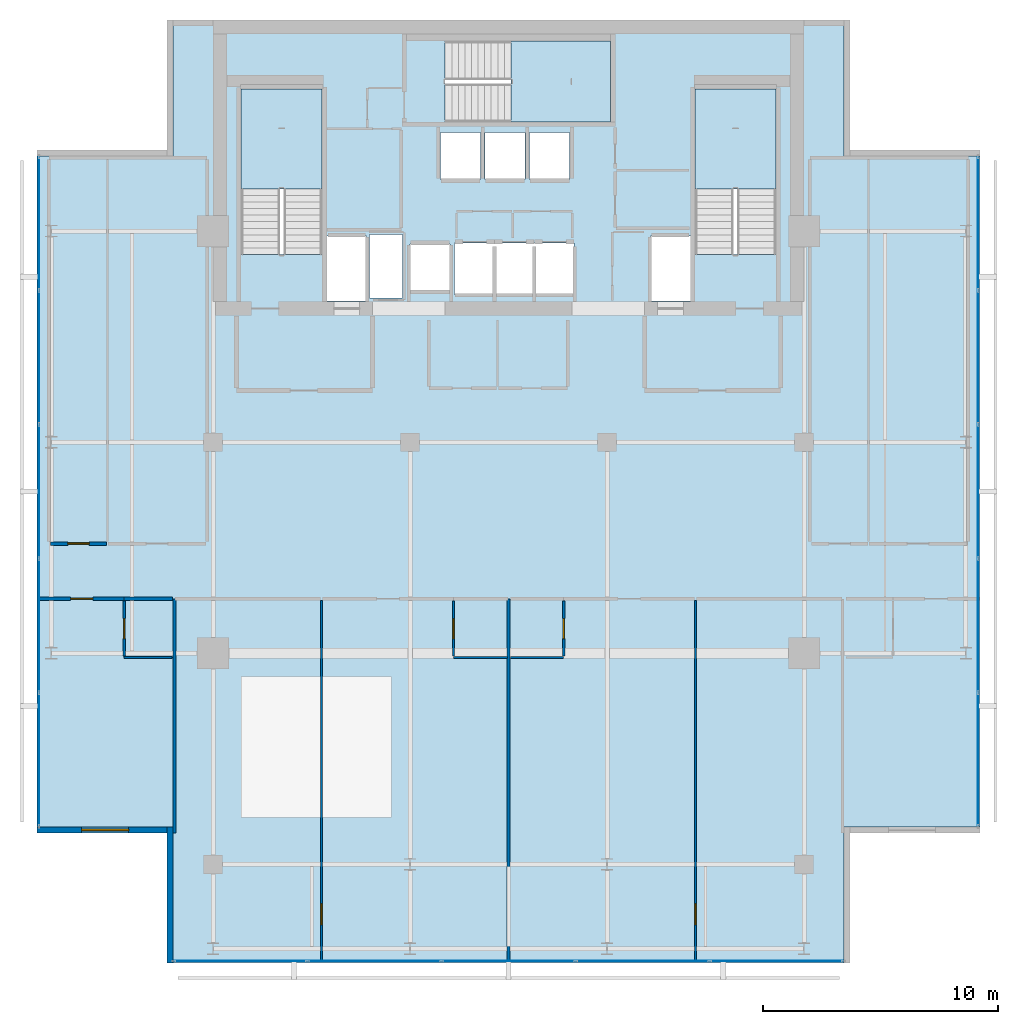
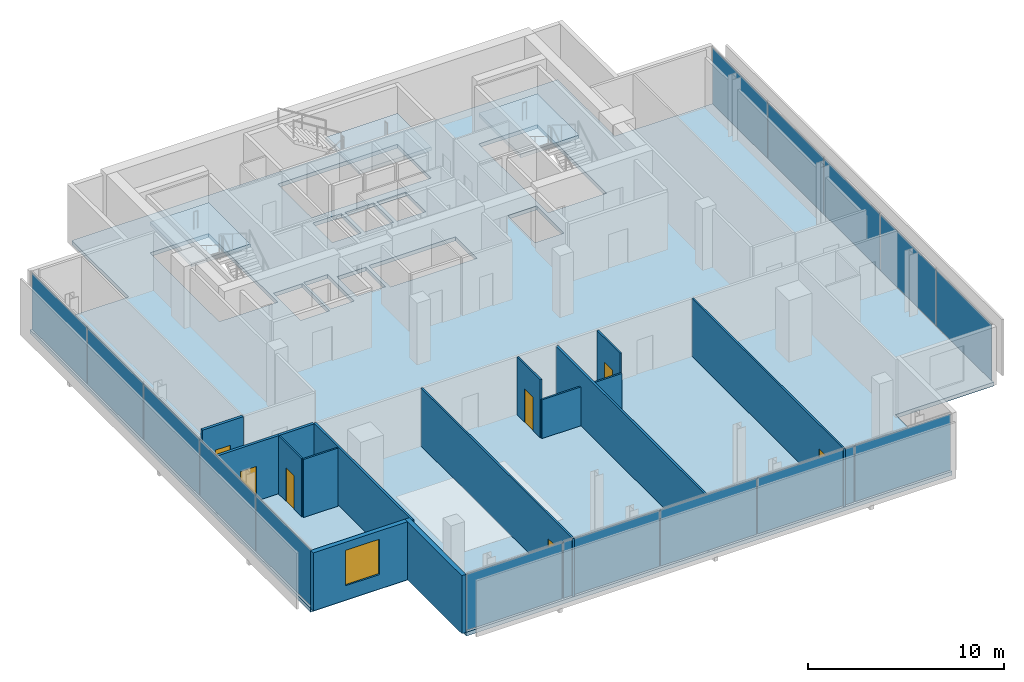
# One storey, part 16 of 23: 15 plates, 15 walls, 7 doors, 4 slabs, 1 window, 8 openings, 6 elements without a shape of their own.
"""IFC4 building model written with IfcOpenShell, lengths in metres."""

from ifc_helpers import new_model, si_unit, direction, frame, frame_2d, origin, origin_2d, place, context, subcontext, project, spatial, polyline, rectangle, outline, extrude, material, layer, layer_set, type_object, element, fill, aggregate, save


model = new_model("IFC4")

# Units and contexts
model_context = context("Model", 3, precision=1e-05, world=origin(), true_north=direction((0.0, 1.0)))
body_context = subcontext(model_context, "Body", "Model", "MODEL_VIEW")
ifc_project = project(units=[si_unit("LENGTHUNIT", "METRE"), si_unit("AREAUNIT", "SQUARE_METRE"), si_unit("VOLUMEUNIT", "CUBIC_METRE"), si_unit("PLANEANGLEUNIT", "RADIAN"), si_unit("MASSUNIT", "GRAM", prefix="KILO")], contexts=[model_context])

# Site, building, storey
site_placement = place(None, origin())
site = spatial("IfcSite", under=ifc_project, at=site_placement, CompositionType="ELEMENT")
building_placement = place(site_placement, origin())
building = spatial("IfcBuilding", under=site, at=building_placement, Name="Maruvema Waterfront Hotel and Observation Tower", CompositionType="ELEMENT")
storey_placement = place(building_placement, frame((0.0, 0.0, 337.39990234375)))
storey = spatial("IfcBuildingStorey", under=building, at=storey_placement, Name="L83", CompositionType="ELEMENT", Elevation=337.39990234375)

# Slab
ifc_material_1 = material(Name="Concrete C50/60", Category="concrete")
ifc_layer_1 = layer(ifc_material_1, 0.239990234375, Name="Reinforced Concrete Floor Slab 240 mm")
ifc_layer_set_1 = layer_set([ifc_layer_1], Name="Concrete C50/60")
slab_type_1 = type_object("IfcSlabType", Name="Reinforced Concrete Floor Slab 240 mm", PredefinedType="FLOOR", material=ifc_layer_set_1)
slab_1_placement = place(storey_placement, frame((0.0, 0.0, -0.239990234375)))
element("IfcSlab", 1, at=slab_1_placement, inside=storey, type_object=slab_type_1, Name="L83 Structural Floor Slab", PredefinedType="FLOOR", context=body_context, shape_type="SweptSolid", body=[
    extrude(outline(polyline([(23.5, 13.800048828125), (52.10009765625, 13.800048828125), (52.10009765625, 19.60009765625), (57.89990234375, 19.60009765625), (57.89990234375, 48.199951171875), (52.10009765625, 48.199951171875), (52.10009765625, 54.0), (23.5, 54.0), (23.5, 48.199951171875), (17.699951171875, 48.199951171875), (17.699951171875, 19.60009765625), (23.5, 19.60009765625), (23.5, 13.800048828125)]), holes=[polyline([(26.39990234375, 44.00048828125), (26.39990234375, 51.050048828125), (29.85009765625, 51.050048828125), (29.85009765625, 44.00048828125), (26.39990234375, 44.00048828125)]), polyline([(30.050048828125, 44.800048828125), (31.75, 44.800048828125), (31.75, 42.02001953125), (30.050048828125, 42.02001953125), (30.050048828125, 44.800048828125)]), polyline([(31.8798828125, 42.139892578125), (31.8798828125, 44.860107421875), (33.280029296875, 44.860107421875), (33.280029296875, 42.139892578125), (31.8798828125, 42.139892578125)]), polyline([(33.60009765625, 44.449951171875), (35.300048828125, 44.449951171875), (35.300048828125, 42.449951171875), (33.60009765625, 42.449951171875), (33.60009765625, 44.449951171875)]), polyline([(34.89990234375, 49.199951171875), (36.60009765625, 49.199951171875), (36.60009765625, 47.199951171875), (34.89990234375, 47.199951171875), (34.89990234375, 49.199951171875)]), polyline([(36.800048828125, 47.199951171875), (36.800048828125, 49.199951171875), (38.5, 49.199951171875), (38.5, 47.199951171875), (36.800048828125, 47.199951171875)]), polyline([(35.5, 42.300048828125), (35.5, 44.5), (40.60009765625, 44.5), (40.60009765625, 42.300048828125), (35.5, 42.300048828125)]), polyline([(35.1005859375, 53.10009765625), (42.14990234375, 53.10009765625), (42.14990234375, 49.64990234375), (35.1005859375, 49.64990234375), (35.1005859375, 53.10009765625)]), polyline([(38.699951171875, 49.199951171875), (40.39990234375, 49.199951171875), (40.39990234375, 47.199951171875), (38.699951171875, 47.199951171875), (38.699951171875, 49.199951171875)]), polyline([(43.85009765625, 44.800048828125), (45.550048828125, 44.800048828125), (45.550048828125, 42.02001953125), (43.85009765625, 42.02001953125), (43.85009765625, 44.800048828125)]), polyline([(45.75, 44.00048828125), (45.75, 51.050048828125), (49.199951171875, 51.050048828125), (49.199951171875, 44.00048828125), (45.75, 44.00048828125)])]), origin(), (0.0, 0.0, 1.0), 0.239990234375),
])

# Curtain wall, plates
ifc_material_2 = material(Name="Anodised bronze aluminium and solar-control low-E IGU", Category="aluminium")
ifc_layer_2 = layer(ifc_material_2, 0.159912109375, Name="Zone 4 Sky Residence Inner Curtain Wall System CW-05")
ifc_layer_set_2 = layer_set([ifc_layer_2], Name="Anodised bronze aluminium and solar-control low-E IGU")
curtain_wall_type = type_object("IfcCurtainWallType", Name="Zone 4 Sky Residence Inner Curtain Wall System CW-05", PredefinedType="USERDEFINED", material=ifc_layer_set_2)
curtain_wall_1_placement = place(storey_placement, origin())
curtain_wall_1 = element("IfcCurtainWall", 2, at=curtain_wall_1_placement, inside=storey, type_object=curtain_wall_type, Name="L83 Curtain Wall CW-L83-S", ObjectType="UNITISED CURTAIN WALL", PredefinedType="USERDEFINED")
ifc_material_3 = material(Name="Laminated low-E solar-control double glazing", Category="glass")
ifc_layer_3 = layer(ifc_material_3, 0.035888671875, Name="Solar Control Double-Glazed Curtain Panel 36 mm")
ifc_layer_set_3 = layer_set([ifc_layer_3], Name="Laminated low-E solar-control double glazing")
plate_type = type_object("IfcPlateType", Name="Solar Control Double-Glazed Curtain Panel 36 mm", PredefinedType="CURTAIN_PANEL", material=ifc_layer_set_3)
plate_1_placement = place(storey_placement, frame((26.375, 13.8798828125, 0.06005859375), z_axis=(0.0, 0.0, 1.0), x_axis=(1.0, 0.0, 0.0)))
plate_1 = element("IfcPlate", 3, at=plate_1_placement, type_object=plate_type, Name="CW-05 panel 1.1", PredefinedType="CURTAIN_PANEL", context=body_context, shape_type="SweptSolid", body=[
    extrude(rectangle(XDim=5.6298828125, YDim=0.028076171875, at=origin_2d()), origin(), (0.0, 0.0, 1.0), 3.489990234375),
])
plate_2_placement = place(storey_placement, frame((32.080078125, 13.8798828125, 0.06005859375), z_axis=(0.0, 0.0, 1.0), x_axis=(1.0, 0.0, 0.0)))
plate_2 = element("IfcPlate", 4, at=plate_2_placement, type_object=plate_type, Name="CW-05 panel 2.1", PredefinedType="CURTAIN_PANEL", context=body_context, shape_type="SweptSolid", body=[
    extrude(rectangle(XDim=5.659912109375, YDim=0.028076171875, at=origin_2d()), origin(), (0.0, 0.0, 1.0), 3.489990234375),
])
plate_3_placement = place(storey_placement, frame((37.800048828125, 13.8798828125, 0.06005859375), z_axis=(0.0, 0.0, 1.0), x_axis=(1.0, 0.0, 0.0)))
plate_3 = element("IfcPlate", 5, at=plate_3_placement, type_object=plate_type, Name="CW-05 panel 3.1", PredefinedType="CURTAIN_PANEL", context=body_context, shape_type="SweptSolid", body=[
    extrude(rectangle(XDim=5.659912109375, YDim=0.028076171875, at=origin_2d()), origin(), (0.0, 0.0, 1.0), 3.489990234375),
])
plate_4_placement = place(storey_placement, frame((43.52001953125, 13.8798828125, 0.06005859375), z_axis=(0.0, 0.0, 1.0), x_axis=(1.0, 0.0, 0.0)))
plate_4 = element("IfcPlate", 6, at=plate_4_placement, type_object=plate_type, Name="CW-05 panel 4.1", PredefinedType="CURTAIN_PANEL", context=body_context, shape_type="SweptSolid", body=[
    extrude(rectangle(XDim=5.659912109375, YDim=0.028076171875, at=origin_2d()), origin(), (0.0, 0.0, 1.0), 3.489990234375),
])
plate_5_placement = place(storey_placement, frame((49.22509765625, 13.8798828125, 0.06005859375), z_axis=(0.0, 0.0, 1.0), x_axis=(1.0, 0.0, 0.0)))
plate_5 = element("IfcPlate", 7, at=plate_5_placement, type_object=plate_type, Name="CW-05 panel 5.1", PredefinedType="CURTAIN_PANEL", context=body_context, shape_type="SweptSolid", body=[
    extrude(rectangle(XDim=5.6298828125, YDim=0.028076171875, at=origin_2d()), origin(), (0.0, 0.0, 1.0), 3.489990234375),
])
aggregate(curtain_wall_1, [plate_1, plate_2, plate_3, plate_4, plate_5])

curtain_wall_2_placement = place(storey_placement, origin())
curtain_wall_2 = element("IfcCurtainWall", 8, at=curtain_wall_2_placement, inside=storey, type_object=curtain_wall_type, Name="L83 Curtain Wall CW-L83-E", ObjectType="UNITISED CURTAIN WALL", PredefinedType="USERDEFINED")
plate_6_placement = place(storey_placement, frame((57.820068359375, 22.47509765625, 0.06005859375), z_axis=(0.0, 0.0, 1.0), x_axis=(0.0, 1.0, 0.0)))
plate_6 = element("IfcPlate", 9, at=plate_6_placement, type_object=plate_type, Name="CW-05 panel 1.1", PredefinedType="CURTAIN_PANEL", context=body_context, shape_type="SweptSolid", body=[
    extrude(rectangle(XDim=5.6298828125, YDim=0.028076171875, at=origin_2d()), origin(), (0.0, 0.0, 1.0), 3.489990234375),
])
plate_7_placement = place(storey_placement, frame((57.820068359375, 28.179931640625, 0.06005859375), z_axis=(0.0, 0.0, 1.0), x_axis=(0.0, 1.0, 0.0)))
plate_7 = element("IfcPlate", 10, at=plate_7_placement, type_object=plate_type, Name="CW-05 panel 2.1", PredefinedType="CURTAIN_PANEL", context=body_context, shape_type="SweptSolid", body=[
    extrude(rectangle(XDim=5.659912109375, YDim=0.028076171875, at=origin_2d()), origin(), (0.0, 0.0, 1.0), 3.489990234375),
])
plate_8_placement = place(storey_placement, frame((57.820068359375, 33.89990234375, 0.06005859375), z_axis=(0.0, 0.0, 1.0), x_axis=(0.0, 1.0, 0.0)))
plate_8 = element("IfcPlate", 11, at=plate_8_placement, type_object=plate_type, Name="CW-05 panel 3.1", PredefinedType="CURTAIN_PANEL", context=body_context, shape_type="SweptSolid", body=[
    extrude(rectangle(XDim=5.659912109375, YDim=0.028076171875, at=origin_2d()), origin(), (0.0, 0.0, 1.0), 3.489990234375),
])
plate_9_placement = place(storey_placement, frame((57.820068359375, 39.6201171875, 0.06005859375), z_axis=(0.0, 0.0, 1.0), x_axis=(0.0, 1.0, 0.0)))
plate_9 = element("IfcPlate", 12, at=plate_9_placement, type_object=plate_type, Name="CW-05 panel 4.1", PredefinedType="CURTAIN_PANEL", context=body_context, shape_type="SweptSolid", body=[
    extrude(rectangle(XDim=5.659912109375, YDim=0.028076171875, at=origin_2d()), origin(), (0.0, 0.0, 1.0), 3.489990234375),
])
plate_10_placement = place(storey_placement, frame((57.820068359375, 45.324951171875, 0.06005859375), z_axis=(0.0, 0.0, 1.0), x_axis=(0.0, 1.0, 0.0)))
plate_10 = element("IfcPlate", 13, at=plate_10_placement, type_object=plate_type, Name="CW-05 panel 5.1", PredefinedType="CURTAIN_PANEL", context=body_context, shape_type="SweptSolid", body=[
    extrude(rectangle(XDim=5.6298828125, YDim=0.028076171875, at=origin_2d()), origin(), (0.0, 0.0, 1.0), 3.489990234375),
])
aggregate(curtain_wall_2, [plate_6, plate_7, plate_8, plate_9, plate_10])

curtain_wall_3_placement = place(storey_placement, origin())
curtain_wall_3 = element("IfcCurtainWall", 14, at=curtain_wall_3_placement, inside=storey, type_object=curtain_wall_type, Name="L83 Curtain Wall CW-L83-W", ObjectType="UNITISED CURTAIN WALL", PredefinedType="USERDEFINED")
plate_11_placement = place(storey_placement, frame((17.780029296875, 45.324951171875, 0.06005859375), z_axis=(0.0, 0.0, 1.0), x_axis=(0.0, -1.0, 0.0)))
plate_11 = element("IfcPlate", 15, at=plate_11_placement, type_object=plate_type, Name="CW-05 panel 1.1", PredefinedType="CURTAIN_PANEL", context=body_context, shape_type="SweptSolid", body=[
    extrude(rectangle(XDim=5.6298828125, YDim=0.028076171875, at=origin_2d()), origin(), (0.0, 0.0, 1.0), 3.489990234375),
])
plate_12_placement = place(storey_placement, frame((17.780029296875, 39.6201171875, 0.06005859375), z_axis=(0.0, 0.0, 1.0), x_axis=(0.0, -1.0, 0.0)))
plate_12 = element("IfcPlate", 16, at=plate_12_placement, type_object=plate_type, Name="CW-05 panel 2.1", PredefinedType="CURTAIN_PANEL", context=body_context, shape_type="SweptSolid", body=[
    extrude(rectangle(XDim=5.659912109375, YDim=0.028076171875, at=origin_2d()), origin(), (0.0, 0.0, 1.0), 3.489990234375),
])
plate_13_placement = place(storey_placement, frame((17.780029296875, 33.89990234375, 0.06005859375), z_axis=(0.0, 0.0, 1.0), x_axis=(0.0, -1.0, 0.0)))
plate_13 = element("IfcPlate", 17, at=plate_13_placement, type_object=plate_type, Name="CW-05 panel 3.1", PredefinedType="CURTAIN_PANEL", context=body_context, shape_type="SweptSolid", body=[
    extrude(rectangle(XDim=5.659912109375, YDim=0.028076171875, at=origin_2d()), origin(), (0.0, 0.0, 1.0), 3.489990234375),
])
plate_14_placement = place(storey_placement, frame((17.780029296875, 28.179931640625, 0.06005859375), z_axis=(0.0, 0.0, 1.0), x_axis=(0.0, -1.0, 0.0)))
plate_14 = element("IfcPlate", 18, at=plate_14_placement, type_object=plate_type, Name="CW-05 panel 4.1", PredefinedType="CURTAIN_PANEL", context=body_context, shape_type="SweptSolid", body=[
    extrude(rectangle(XDim=5.659912109375, YDim=0.028076171875, at=origin_2d()), origin(), (0.0, 0.0, 1.0), 3.489990234375),
])
plate_15_placement = place(storey_placement, frame((17.780029296875, 22.47509765625, 0.06005859375), z_axis=(0.0, 0.0, 1.0), x_axis=(0.0, -1.0, 0.0)))
plate_15 = element("IfcPlate", 19, at=plate_15_placement, type_object=plate_type, Name="CW-05 panel 5.1", PredefinedType="CURTAIN_PANEL", context=body_context, shape_type="SweptSolid", body=[
    extrude(rectangle(XDim=5.6298828125, YDim=0.028076171875, at=origin_2d()), origin(), (0.0, 0.0, 1.0), 3.489990234375),
])
aggregate(curtain_wall_3, [plate_11, plate_12, plate_13, plate_14, plate_15])

# Stair, slab
ifc_material_4 = material(Name="Concrete C50/60", Category="concrete")
stair_type = type_object("IfcStairType", Name="Dogleg Exit Stair 1650 mm (22R x 175.0 mm)", PredefinedType="HALF_TURN_STAIR", material=ifc_material_4)
stair_1_placement = place(storey_placement, origin())
stair_1 = element("IfcStair", 20, at=stair_1_placement, inside=storey, type_object=stair_type, Name="L83 ST-01", PredefinedType="HALF_TURN_STAIR")
ifc_material_5 = material(Name="Concrete C50/60", Category="concrete")
ifc_layer_4 = layer(ifc_material_5, 0.219970703125, Name="Stair Concrete Landing Slab 220 mm")
ifc_layer_set_4 = layer_set([ifc_layer_4], Name="Concrete C50/60")
slab_type_2 = type_object("IfcSlabType", Name="Stair Concrete Landing Slab 220 mm", PredefinedType="LANDING", material=ifc_layer_set_4)
slab_2_placement = place(storey_placement, frame((0.0, 0.0, 1.705078125)))
slab_2 = element("IfcSlab", 21, at=slab_2_placement, type_object=slab_type_2, Name="ST-01 landing 1", PredefinedType="LANDING", context=body_context, shape_type="SweptSolid", body=[
    extrude(outline(polyline([(29.85009765625, 46.800048828125), (29.85009765625, 51.050048828125), (26.39990234375, 51.050048828125), (26.39990234375, 46.800048828125), (29.85009765625, 46.800048828125)])), origin(), (0.0, 0.0, 1.0), 0.219970703125),
])
aggregate(stair_1, [slab_2])

stair_2_placement = place(storey_placement, origin())
stair_2 = element("IfcStair", 22, at=stair_2_placement, inside=storey, type_object=stair_type, Name="L83 ST-02", PredefinedType="HALF_TURN_STAIR")
slab_3_placement = place(storey_placement, frame((0.0, 0.0, 1.705078125)))
slab_3 = element("IfcSlab", 23, at=slab_3_placement, type_object=slab_type_2, Name="ST-02 landing 1", PredefinedType="LANDING", context=body_context, shape_type="SweptSolid", body=[
    extrude(outline(polyline([(37.89990234375, 49.64990234375), (42.14990234375, 49.64990234375), (42.14990234375, 53.10009765625), (37.89990234375, 53.10009765625), (37.89990234375, 49.64990234375)])), origin(), (0.0, 0.0, 1.0), 0.219970703125),
])
aggregate(stair_2, [slab_3])

stair_3_placement = place(storey_placement, origin())
stair_3 = element("IfcStair", 24, at=stair_3_placement, inside=storey, type_object=stair_type, Name="L83 ST-03", PredefinedType="HALF_TURN_STAIR")
slab_4_placement = place(storey_placement, frame((0.0, 0.0, 1.705078125)))
slab_4 = element("IfcSlab", 25, at=slab_4_placement, type_object=slab_type_2, Name="ST-03 landing 1", PredefinedType="LANDING", context=body_context, shape_type="SweptSolid", body=[
    extrude(outline(polyline([(49.199951171875, 46.800048828125), (49.199951171875, 51.050048828125), (45.75, 51.050048828125), (45.75, 46.800048828125), (49.199951171875, 46.800048828125)])), origin(), (0.0, 0.0, 1.0), 0.219970703125),
])
aggregate(stair_3, [slab_4])

# Wall, opening, door
ifc_material_6 = material(Name="Twin-stud acoustic gypsum drywall", Category="gypsum")
ifc_layer_5 = layer(ifc_material_6, 0.14990234375, Name="Acoustic Corridor and Suite Demising Wall 150 mm")
ifc_layer_set_5 = layer_set([ifc_layer_5], Name="Twin-stud acoustic gypsum drywall")
wall_type_1 = type_object("IfcWallType", Name="Acoustic Corridor and Suite Demising Wall 150 mm", PredefinedType="PARTITIONING", material=ifc_layer_set_5)
wall_1_placement = place(storey_placement, frame((18.260009765625, 31.679931640625, 0.0), z_axis=(0.0, 0.0, 1.0), x_axis=(1.0, 0.0, 0.0)))
wall_1 = element("IfcWall", 26, at=wall_1_placement, inside=storey, type_object=wall_type_1, Name="L83 L83-Z4W Front 1 034", PredefinedType="PARTITIONING", context=body_context, shape_type="SweptSolid", body=[
    extrude(rectangle(XDim=2.407470703125, YDim=0.14990234375, at=frame_2d((1.20361328125, 0.0))), origin(), (0.0, 0.0, 1.0), 3.610107421875),
])
opening_1_placement = place(wall_1_placement, frame((0.753662109375, 0.0, 0.0)))
opening_1 = element("IfcOpeningElement", 27, at=opening_1_placement, cuts=wall_1, Name="Opening DR-090", PredefinedType="OPENING", context=body_context, shape_type="SweptSolid", body=[
    extrude(rectangle(XDim=0.89990234375, YDim=2.10009765625, at=frame_2d((0.449951171875, 1.050048828125))), frame((0.0, 0.0849609375, 0.0), z_axis=(0.0, -1.0, 0.0), x_axis=(1.0, 0.0, 0.0)), (0.0, 0.0, 1.0), 0.169921875),
])
ifc_material_7 = material(Name="Solid-core lacquered timber leaf", Category="wood")
door_type_1 = type_object("IfcDoorType", Name="Accessible Toilet and Room Door 900x2100 mm", OperationType="NOTDEFINED", PredefinedType="DOOR", material=ifc_material_7)
door_1_placement = place(opening_1_placement, frame((0.89990234375, 0.0, 0.0), z_axis=(0.0, 0.0, 1.0), x_axis=(-1.0, 0.0, 0.0)))
door_1 = element("IfcDoor", 28, at=door_1_placement, inside=storey, type_object=door_type_1, Name="L83 Presidential Show Kitchen Door", OperationType="SINGLE_SWING_LEFT", OverallHeight=2.10009765625, OverallWidth=0.89990234375, PredefinedType="DOOR", context=body_context, shape_type="SweptSolid", body=[
    extrude(rectangle(XDim=0.89990234375, YDim=2.10009765625, at=frame_2d((0.449951171875, 1.050048828125))), frame((0.0, 0.02490234375, 0.0), z_axis=(0.0, -1.0, 0.0), x_axis=(1.0, 0.0, 0.0)), (0.0, 0.0, 1.0), 0.050048828125),
])
fill(opening_1, door_1)

# Wall
wall_2_placement = place(storey_placement, frame((21.409912109375, 29.320068359375, 0.0), z_axis=(0.0, 0.0, 1.0), x_axis=(1.0, 0.0, 0.0)))
element("IfcWall", 29, at=wall_2_placement, inside=storey, type_object=wall_type_1, Name="L83 Bath L83-SKW Back Wall 058", PredefinedType="PARTITIONING", context=body_context, shape_type="SweptSolid", body=[
    extrude(rectangle(XDim=2.06005859375, YDim=0.14990234375, at=frame_2d((1.030029296875, 0.0))), origin(), (0.0, 0.0, 1.0), 3.610107421875),
])

# Wall, opening, door
wall_3_placement = place(storey_placement, frame((17.7900390625, 29.320068359375, 0.0), z_axis=(0.0, 0.0, 1.0), x_axis=(1.0, 0.0, 0.0)))
wall_3 = element("IfcWall", 30, at=wall_3_placement, inside=storey, type_object=wall_type_1, Name="L83 Unit L83-SKW Corridor Wall 061", PredefinedType="PARTITIONING", context=body_context, shape_type="SweptSolid", body=[
    extrude(rectangle(XDim=3.619873046875, YDim=0.14990234375, at=frame_2d((1.81005859375, 0.0))), origin(), (0.0, 0.0, 1.0), 3.610107421875),
])
opening_2_placement = place(wall_3_placement, frame((1.3349609375, 0.0, 0.0)))
opening_2 = element("IfcOpeningElement", 31, at=opening_2_placement, cuts=wall_3, Name="Opening DR-095", PredefinedType="OPENING", context=body_context, shape_type="SweptSolid", body=[
    extrude(rectangle(XDim=0.949951171875, YDim=2.14990234375, at=frame_2d((0.47509765625, 1.074951171875))), frame((0.0, 0.0849609375, 0.0), z_axis=(0.0, -1.0, 0.0), x_axis=(1.0, 0.0, 0.0)), (0.0, 0.0, 1.0), 0.169921875),
])
ifc_material_8 = material(Name="Acoustic solid-core hardwood timber leaf", Category="wood")
door_type_2 = type_object("IfcDoorType", Name="Guestroom Entrance Fire Door 950x2150 mm", OperationType="NOTDEFINED", PredefinedType="DOOR", material=ifc_material_8)
door_2_placement = place(opening_2_placement, frame((0.949951171875, 0.0, 0.0), z_axis=(0.0, 0.0, 1.0), x_axis=(-1.0, 0.0, 0.0)))
door_2 = element("IfcDoor", 32, at=door_2_placement, inside=storey, type_object=door_type_2, Name="L83 Unit L83-SKW Entrance Door", OperationType="SINGLE_SWING_RIGHT", OverallHeight=2.14990234375, OverallWidth=0.949951171875, PredefinedType="DOOR", context=body_context, shape_type="SweptSolid", body=[
    extrude(rectangle(XDim=0.949951171875, YDim=2.14990234375, at=frame_2d((0.47509765625, 1.074951171875))), frame((0.0, 0.02490234375, 0.0), z_axis=(0.0, -1.0, 0.0), x_axis=(1.0, 0.0, 0.0)), (0.0, 0.0, 1.0), 0.050048828125),
])
fill(opening_2, door_2)

# Wall
ifc_material_9 = material(Name="Moisture-resistant cement-board drywall", Category="gypsum")
ifc_layer_6 = layer(ifc_material_9, 0.10009765625, Name="En-Suite Moisture-Resistant Partition 100 mm")
ifc_layer_set_6 = layer_set([ifc_layer_6], Name="Moisture-resistant cement-board drywall")
wall_type_2 = type_object("IfcWallType", Name="En-Suite Moisture-Resistant Partition 100 mm", PredefinedType="PARTITIONING", material=ifc_layer_set_6)
wall_4_placement = place(storey_placement, frame((35.449951171875, 26.820068359375, 0.0), z_axis=(0.0, 0.0, 1.0), x_axis=(1.0, 0.0, 0.0)))
element("IfcWall", 33, at=wall_4_placement, inside=storey, type_object=wall_type_2, Name="L83 En-Suite L83-SK1 South 046", PredefinedType="PARTITIONING", context=body_context, shape_type="SweptSolid", body=[
    extrude(rectangle(XDim=2.31005859375, YDim=0.10009765625, at=frame_2d((1.155029296875, 0.0))), origin(), (0.0, 0.0, 1.0), 2.41015625),
])

# Wall, opening, door
wall_5_placement = place(storey_placement, frame((35.449951171875, 26.8798828125, 0.0), z_axis=(0.0, 0.0, 1.0), x_axis=(0.0, 1.0, 0.0)))
wall_5 = element("IfcWall", 34, at=wall_5_placement, inside=storey, type_object=wall_type_2, Name="L83 En-Suite L83-SK1 West 047", PredefinedType="PARTITIONING", context=body_context, shape_type="SweptSolid", body=[
    extrude(rectangle(XDim=2.340087890625, YDim=0.10009765625, at=frame_2d((1.169921875, 0.0))), origin(), (0.0, 0.0, 1.0), 3.610107421875),
])
opening_3_placement = place(wall_5_placement, frame((0.7451171875, 0.0, 0.0)))
opening_3 = element("IfcOpeningElement", 35, at=opening_3_placement, cuts=wall_5, Name="Opening DR-085", PredefinedType="OPENING", context=body_context, shape_type="SweptSolid", body=[
    extrude(rectangle(XDim=0.85009765625, YDim=2.10009765625, at=frame_2d((0.425048828125, 1.050048828125))), frame((0.0, 0.06005859375, 0.0), z_axis=(0.0, -1.0, 0.0), x_axis=(1.0, 0.0, 0.0)), (0.0, 0.0, 1.0), 0.1201171875),
])
ifc_material_10 = material(Name="Moisture-resistant solid timber leaf", Category="wood")
door_type_3 = type_object("IfcDoorType", Name="En-Suite Bathroom Door 850x2100 mm", OperationType="NOTDEFINED", PredefinedType="DOOR", material=ifc_material_10)
door_3_placement = place(opening_3_placement, origin())
door_3 = element("IfcDoor", 36, at=door_3_placement, inside=storey, type_object=door_type_3, Name="L83 En-Suite L83-SK1 Door", OperationType="SINGLE_SWING_LEFT", OverallHeight=2.10009765625, OverallWidth=0.85009765625, PredefinedType="DOOR", context=body_context, shape_type="SweptSolid", body=[
    extrude(rectangle(XDim=0.85009765625, YDim=2.10009765625, at=frame_2d((0.425048828125, 1.050048828125))), frame((0.0, 0.02490234375, 0.0), z_axis=(0.0, -1.0, 0.0), x_axis=(1.0, 0.0, 0.0)), (0.0, 0.0, 1.0), 0.050048828125),
])
fill(opening_3, door_3)

wall_6_placement = place(storey_placement, frame((29.826904296875, 13.830078125, 0.0), z_axis=(0.0, 0.0, 1.0), x_axis=(0.0, 1.0, 0.0)))
wall_6 = element("IfcWall", 37, at=wall_6_placement, inside=storey, type_object=wall_type_2, Name="L83 Suite L83-SK1 Split 050", PredefinedType="PARTITIONING", context=body_context, shape_type="SweptSolid", body=[
    extrude(rectangle(XDim=15.429931640625, YDim=0.10009765625, at=frame_2d((7.71484375, 0.0))), origin(), (0.0, 0.0, 1.0), 3.610107421875),
])
opening_4_placement = place(wall_6_placement, frame((1.60009765625, 0.0, 0.0)))
opening_4 = element("IfcOpeningElement", 38, at=opening_4_placement, cuts=wall_6, Name="Opening DR-090", PredefinedType="OPENING", context=body_context, shape_type="SweptSolid", body=[
    extrude(rectangle(XDim=0.89990234375, YDim=2.10009765625, at=frame_2d((0.449951171875, 1.050048828125))), frame((0.0, 0.06005859375, 0.0), z_axis=(0.0, -1.0, 0.0), x_axis=(1.0, 0.0, 0.0)), (0.0, 0.0, 1.0), 0.1201171875),
])
door_4_placement = place(opening_4_placement, frame((0.89990234375, 0.0, 0.0), z_axis=(0.0, 0.0, 1.0), x_axis=(-1.0, 0.0, 0.0)))
door_4 = element("IfcDoor", 39, at=door_4_placement, inside=storey, type_object=door_type_1, Name="L83 Suite L83-SK1 Bedroom Door", OperationType="SINGLE_SWING_LEFT", OverallHeight=2.10009765625, OverallWidth=0.89990234375, PredefinedType="DOOR", context=body_context, shape_type="SweptSolid", body=[
    extrude(rectangle(XDim=0.89990234375, YDim=2.10009765625, at=frame_2d((0.449951171875, 1.050048828125))), frame((0.0, 0.02490234375, 0.0), z_axis=(0.0, -1.0, 0.0), x_axis=(1.0, 0.0, 0.0)), (0.0, 0.0, 1.0), 0.050048828125),
])
fill(opening_4, door_4)

# Wall
wall_7_placement = place(storey_placement, frame((37.8798828125, 26.820068359375, 0.0), z_axis=(0.0, 0.0, 1.0), x_axis=(1.0, 0.0, 0.0)))
element("IfcWall", 40, at=wall_7_placement, inside=storey, type_object=wall_type_2, Name="L83 En-Suite L83-SK2 South 053", PredefinedType="PARTITIONING", context=body_context, shape_type="SweptSolid", body=[
    extrude(rectangle(XDim=2.27001953125, YDim=0.10009765625, at=frame_2d((1.135009765625, 0.0))), origin(), (0.0, 0.0, 1.0), 2.41015625),
])

# Wall, opening, door
wall_8_placement = place(storey_placement, frame((40.14990234375, 26.8798828125, 0.0), z_axis=(0.0, 0.0, 1.0), x_axis=(0.0, 1.0, 0.0)))
wall_8 = element("IfcWall", 41, at=wall_8_placement, inside=storey, type_object=wall_type_2, Name="L83 En-Suite L83-SK2 East 054", PredefinedType="PARTITIONING", context=body_context, shape_type="SweptSolid", body=[
    extrude(rectangle(XDim=2.340087890625, YDim=0.10009765625, at=frame_2d((1.169921875, 0.0))), origin(), (0.0, 0.0, 1.0), 3.610107421875),
])
opening_5_placement = place(wall_8_placement, frame((0.7451171875, 0.0, 0.0)))
opening_5 = element("IfcOpeningElement", 42, at=opening_5_placement, cuts=wall_8, Name="Opening DR-085", PredefinedType="OPENING", context=body_context, shape_type="SweptSolid", body=[
    extrude(rectangle(XDim=0.85009765625, YDim=2.10009765625, at=frame_2d((0.425048828125, 1.050048828125))), frame((0.0, 0.06005859375, 0.0), z_axis=(0.0, -1.0, 0.0), x_axis=(1.0, 0.0, 0.0)), (0.0, 0.0, 1.0), 0.1201171875),
])
door_5_placement = place(opening_5_placement, frame((0.85009765625, 0.0, 0.0), z_axis=(0.0, 0.0, 1.0), x_axis=(-1.0, 0.0, 0.0)))
door_5 = element("IfcDoor", 43, at=door_5_placement, inside=storey, type_object=door_type_3, Name="L83 En-Suite L83-SK2 Door", OperationType="SINGLE_SWING_RIGHT", OverallHeight=2.10009765625, OverallWidth=0.85009765625, PredefinedType="DOOR", context=body_context, shape_type="SweptSolid", body=[
    extrude(rectangle(XDim=0.85009765625, YDim=2.10009765625, at=frame_2d((0.425048828125, 1.050048828125))), frame((0.0, 0.02490234375, 0.0), z_axis=(0.0, -1.0, 0.0), x_axis=(1.0, 0.0, 0.0)), (0.0, 0.0, 1.0), 0.050048828125),
])
fill(opening_5, door_5)

wall_9_placement = place(storey_placement, frame((45.77294921875, 13.830078125, 0.0), z_axis=(0.0, 0.0, 1.0), x_axis=(0.0, 1.0, 0.0)))
wall_9 = element("IfcWall", 44, at=wall_9_placement, inside=storey, type_object=wall_type_2, Name="L83 Suite L83-SK2 Split 057", PredefinedType="PARTITIONING", context=body_context, shape_type="SweptSolid", body=[
    extrude(rectangle(XDim=15.429931640625, YDim=0.10009765625, at=frame_2d((7.71484375, 0.0))), origin(), (0.0, 0.0, 1.0), 3.610107421875),
])
opening_6_placement = place(wall_9_placement, frame((1.60009765625, 0.0, 0.0)))
opening_6 = element("IfcOpeningElement", 45, at=opening_6_placement, cuts=wall_9, Name="Opening DR-090", PredefinedType="OPENING", context=body_context, shape_type="SweptSolid", body=[
    extrude(rectangle(XDim=0.89990234375, YDim=2.10009765625, at=frame_2d((0.449951171875, 1.050048828125))), frame((0.0, 0.06005859375, 0.0), z_axis=(0.0, -1.0, 0.0), x_axis=(1.0, 0.0, 0.0)), (0.0, 0.0, 1.0), 0.1201171875),
])
door_6_placement = place(opening_6_placement, origin())
door_6 = element("IfcDoor", 46, at=door_6_placement, inside=storey, type_object=door_type_1, Name="L83 Suite L83-SK2 Bedroom Door", OperationType="SINGLE_SWING_RIGHT", OverallHeight=2.10009765625, OverallWidth=0.89990234375, PredefinedType="DOOR", context=body_context, shape_type="SweptSolid", body=[
    extrude(rectangle(XDim=0.89990234375, YDim=2.10009765625, at=frame_2d((0.449951171875, 1.050048828125))), frame((0.0, 0.02490234375, 0.0), z_axis=(0.0, -1.0, 0.0), x_axis=(1.0, 0.0, 0.0)), (0.0, 0.0, 1.0), 0.050048828125),
])
fill(opening_6, door_6)

# Wall
wall_10_placement = place(storey_placement, frame((21.409912109375, 26.820068359375, 0.0), z_axis=(0.0, 0.0, 1.0), x_axis=(1.0, 0.0, 0.0)))
element("IfcWall", 47, at=wall_10_placement, inside=storey, type_object=wall_type_2, Name="L83 En-Suite L83-SKW South 059", PredefinedType="PARTITIONING", context=body_context, shape_type="SweptSolid", body=[
    extrude(rectangle(XDim=2.0400390625, YDim=0.10009765625, at=frame_2d((1.02001953125, 0.0))), origin(), (0.0, 0.0, 1.0), 3.610107421875),
])

# Wall, opening, door
wall_11_placement = place(storey_placement, frame((21.409912109375, 26.8798828125, 0.0), z_axis=(0.0, 0.0, 1.0), x_axis=(0.0, 1.0, 0.0)))
wall_11 = element("IfcWall", 48, at=wall_11_placement, inside=storey, type_object=wall_type_2, Name="L83 En-Suite L83-SKW West 060", PredefinedType="PARTITIONING", context=body_context, shape_type="SweptSolid", body=[
    extrude(rectangle(XDim=2.340087890625, YDim=0.10009765625, at=frame_2d((1.169921875, 0.0))), origin(), (0.0, 0.0, 1.0), 3.610107421875),
])
opening_7_placement = place(wall_11_placement, frame((0.7451171875, 0.0, 0.0)))
opening_7 = element("IfcOpeningElement", 49, at=opening_7_placement, cuts=wall_11, Name="Opening DR-085", PredefinedType="OPENING", context=body_context, shape_type="SweptSolid", body=[
    extrude(rectangle(XDim=0.85009765625, YDim=2.10009765625, at=frame_2d((0.425048828125, 1.050048828125))), frame((0.0, 0.06005859375, 0.0), z_axis=(0.0, -1.0, 0.0), x_axis=(1.0, 0.0, 0.0)), (0.0, 0.0, 1.0), 0.1201171875),
])
door_7_placement = place(opening_7_placement, origin())
door_7 = element("IfcDoor", 50, at=door_7_placement, inside=storey, type_object=door_type_3, Name="L83 En-Suite L83-SKW Door", OperationType="SINGLE_SWING_LEFT", OverallHeight=2.10009765625, OverallWidth=0.85009765625, PredefinedType="DOOR", context=body_context, shape_type="SweptSolid", body=[
    extrude(rectangle(XDim=0.85009765625, YDim=2.10009765625, at=frame_2d((0.425048828125, 1.050048828125))), frame((0.0, 0.02490234375, 0.0), z_axis=(0.0, -1.0, 0.0), x_axis=(1.0, 0.0, 0.0)), (0.0, 0.0, 1.0), 0.050048828125),
])
fill(opening_7, door_7)

# Wall
ifc_material_11 = material(Name="Precast concrete C45/55 with honed Pernambuco granite facing", Category="masonry")
ifc_layer_7 = layer(ifc_material_11, 0.260009765625, Name="Exterior Granite Clad Spandrel and Pier Wall 260 mm")
ifc_layer_set_7 = layer_set([ifc_layer_7], Name="Precast concrete C45/55 with honed Pernambuco granite facing")
wall_type_3 = type_object("IfcWallType", Name="Exterior Granite Clad Spandrel and Pier Wall 260 mm", PredefinedType="SOLIDWALL", material=ifc_layer_set_7)
wall_12_placement = place(storey_placement, frame((23.3701171875, 13.800048828125, 0.0), z_axis=(0.0, 0.0, 1.0), x_axis=(0.0, 1.0, 0.0)))
element("IfcWall", 51, at=wall_12_placement, inside=storey, type_object=wall_type_3, Name="L83 Corner Notch Granite Pier Wall SW1", PredefinedType="SOLIDWALL", context=body_context, shape_type="SweptSolid", body=[
    extrude(rectangle(XDim=5.800048828125, YDim=0.260009765625, at=frame_2d((2.89990234375, 0.0))), origin(), (0.0, 0.0, 1.0), 3.610107421875),
])

# Wall, opening, window
wall_13_placement = place(storey_placement, frame((23.5, 19.469970703125, 0.0), z_axis=(0.0, 0.0, 1.0), x_axis=(-1.0, 0.0, 0.0)))
wall_13 = element("IfcWall", 52, at=wall_13_placement, inside=storey, type_object=wall_type_3, Name="L83 Corner Notch Granite Pier Wall SW2", PredefinedType="SOLIDWALL", context=body_context, shape_type="SweptSolid", body=[
    extrude(rectangle(XDim=5.800048828125, YDim=0.260009765625, at=frame_2d((2.89990234375, 0.0))), origin(), (0.0, 0.0, 1.0), 3.610107421875),
])
opening_8_placement = place(wall_13_placement, frame((1.89990234375, 0.0, 0.89990234375)))
opening_8 = element("IfcOpeningElement", 53, at=opening_8_placement, cuts=wall_13, Name="Opening WN-03", PredefinedType="OPENING", context=body_context, shape_type="SweptSolid", body=[
    extrude(rectangle(XDim=2.0, YDim=2.199951171875, at=frame_2d((1.0, 1.10009765625))), frame((0.0, 0.14013671875, 0.0), z_axis=(0.0, -1.0, 0.0), x_axis=(1.0, 0.0, 0.0)), (0.0, 0.0, 1.0), 0.280029296875),
])
ifc_material_12 = material(Name="Anodised bronze aluminium frame with laminated low-E glass", Category="aluminium")
window_type = type_object("IfcWindowType", Name="Sky Suite Panoramic Notch Window 2000x2200 mm", PartitioningType="SINGLE_PANEL", PredefinedType="WINDOW", material=ifc_material_12)
window_placement = place(opening_8_placement, origin())
window = element("IfcWindow", 54, at=window_placement, inside=storey, type_object=window_type, Name="L83 Corner Notch Punched Window SW2", OverallHeight=2.199951171875, OverallWidth=2.0, PartitioningType="SINGLE_PANEL", PredefinedType="WINDOW", context=body_context, shape_type="SweptSolid", body=[
    extrude(rectangle(XDim=2.0, YDim=2.199951171875, at=frame_2d((1.0, 1.10009765625))), frame((0.0, 0.030029296875, 0.0), z_axis=(0.0, -1.0, 0.0), x_axis=(1.0, 0.0, 0.0)), (0.0, 0.0, 1.0), 0.06005859375),
])
fill(opening_8, window)

# Walls
ifc_material_13 = material(Name="Acoustic gypsum plasterboard drywall", Category="gypsum")
ifc_layer_8 = layer(ifc_material_13, 0.125, Name="Guestroom Acoustic Demising Wall 125 mm")
ifc_layer_set_8 = layer_set([ifc_layer_8], Name="Acoustic gypsum plasterboard drywall")
wall_type_4 = type_object("IfcWallType", Name="Guestroom Acoustic Demising Wall 125 mm", PredefinedType="PARTITIONING", material=ifc_layer_set_8)
wall_14_placement = place(storey_placement, frame((23.5625, 19.340087890625, 0.0), z_axis=(0.0, 0.0, 1.0), x_axis=(0.0, 1.0, 0.0)))
element("IfcWall", 55, at=wall_14_placement, inside=storey, type_object=wall_type_4, Name="L83 Z4 S West End 043", PredefinedType="PARTITIONING", context=body_context, shape_type="SweptSolid", body=[
    extrude(rectangle(XDim=9.97998046875, YDim=0.125, at=frame_2d((4.989990234375, 0.0))), origin(), (0.0, 0.0, 1.0), 3.610107421875),
])
wall_15_placement = place(storey_placement, frame((37.800048828125, 13.89990234375, 0.0), z_axis=(0.0, 0.0, 1.0), x_axis=(0.0, 1.0, 0.0)))
element("IfcWall", 56, at=wall_15_placement, inside=storey, type_object=wall_type_4, Name="L83 Z4 S Demising 2 051", PredefinedType="PARTITIONING", context=body_context, shape_type="SweptSolid", body=[
    extrude(rectangle(XDim=15.420166015625, YDim=0.125, at=frame_2d((7.7099609375, 0.0))), origin(), (0.0, 0.0, 1.0), 3.403076171875),
])

save(model, "model.ifc")
